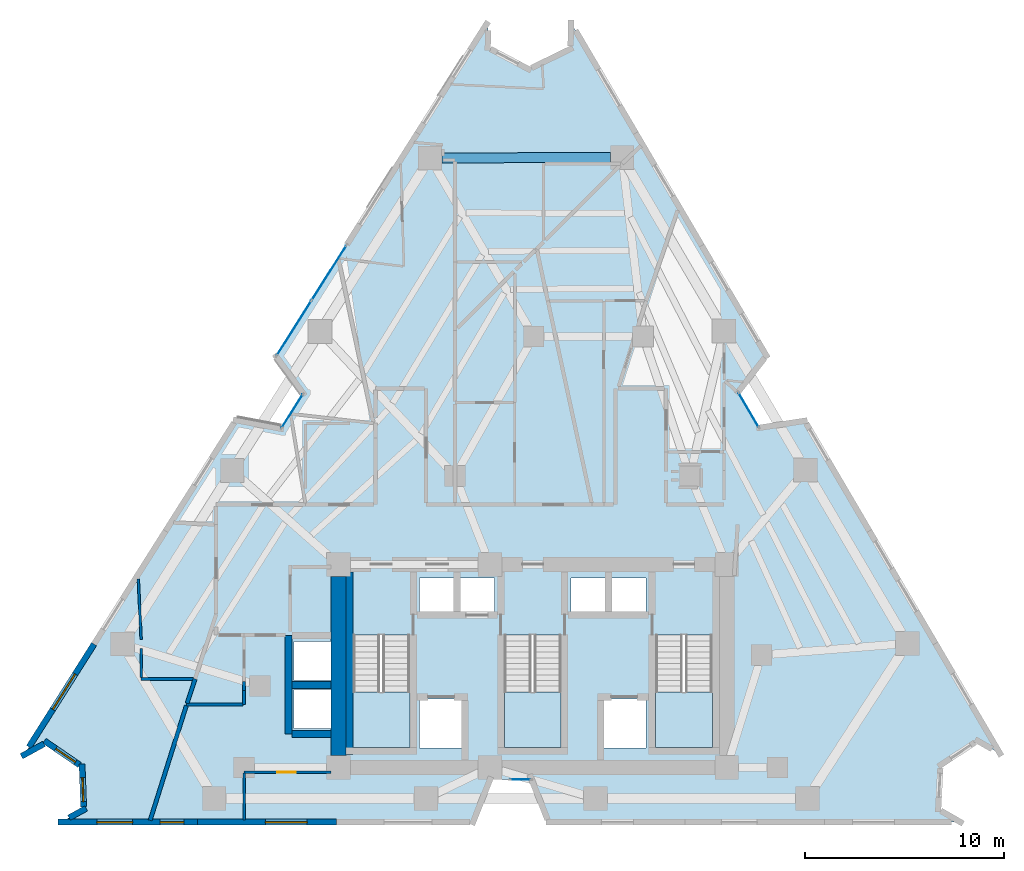
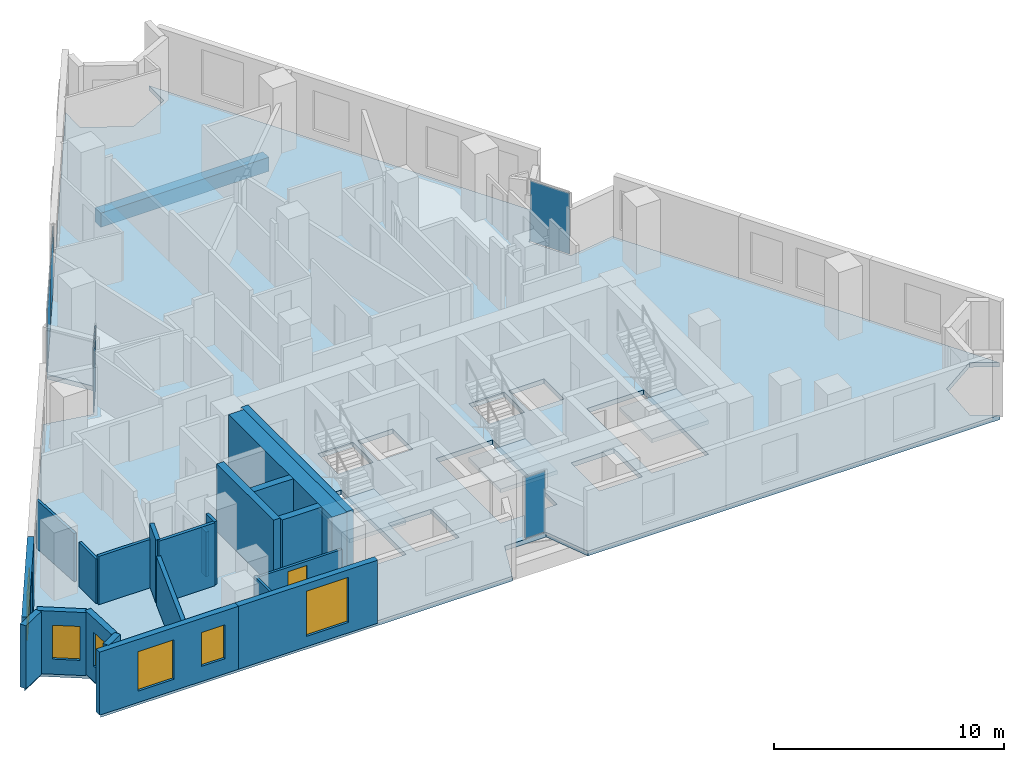
# One storey, part 5 of 12: 22 walls, 6 windows, 5 plates, 4 slabs, 1 beam, 1 door, 7 openings, 7 elements without a shape of their own.
"""IFC4 building model written with IfcOpenShell, lengths in metres."""

from ifc_helpers import new_model, si_unit, direction, frame, frame_2d, origin, origin_2d, place, context, subcontext, project, spatial, polyline, rectangle, outline, extrude, material, layer, layer_set, material_profile, profile_set, type_object, element, fill, aggregate, save


model = new_model("IFC4")

# Units and contexts
model_context = context("Model", 3, precision=1e-05, world=origin(), true_north=direction((0.0, 1.0)))
body_context = subcontext(model_context, "Body", "Model", "MODEL_VIEW")
ifc_project = project(units=[si_unit("LENGTHUNIT", "METRE"), si_unit("AREAUNIT", "SQUARE_METRE"), si_unit("VOLUMEUNIT", "CUBIC_METRE"), si_unit("PLANEANGLEUNIT", "RADIAN"), si_unit("MASSUNIT", "GRAM", prefix="KILO")], contexts=[model_context])

# Site, building, storey
site_placement = place(None, origin())
site = spatial("IfcSite", under=ifc_project, at=site_placement, CompositionType="ELEMENT")
building_placement = place(site_placement, origin())
building = spatial("IfcBuilding", under=site, at=building_placement, Name="Almagre Mirador Tower", CompositionType="ELEMENT")
storey_placement = place(building_placement, frame((0.0, 0.0, 114.0)))
storey = spatial("IfcBuildingStorey", under=building, at=storey_placement, Name="L28", CompositionType="ELEMENT", Elevation=114.0)

# Beam
ifc_material_1 = material(Name="Precast concrete C50/60", Category="concrete")
ifc_material_profile = material_profile(ifc_material_1, rectangle(XDim=0.5, YDim=0.75, at=origin_2d()), Name="RC500X750")
ifc_profile_set = profile_set([ifc_material_profile], Name="Precast concrete C50/60")
beam_type = type_object("IfcBeamType", Name="BM-SPN-RC500X750", PredefinedType="SPANDREL", material=ifc_profile_set)
beam_placement = place(storey_placement, frame((41.197021484375, 35.197998046875, -0.625), z_axis=(-0.999993795162, -0.003522731665, 0.0), x_axis=(0.003522731665, -0.999993795162, 0.0)))
element("IfcBeam", 1, at=beam_placement, inside=storey, type_object=beam_type, Name="L28 perimeter spandrel beam PC08-PC09", PredefinedType="SPANDREL", context=body_context, shape_type="SweptSolid", body=[
    extrude(rectangle(XDim=0.5, YDim=0.75, at=origin_2d()), origin(), (0.0, 0.0, 1.0), 8.455078125),
])

# Curtain wall, plate
ifc_material_2 = material(Name="Black anodized aluminium", Category="aluminium")
ifc_layer_1 = layer(ifc_material_2, 0.169921875)
ifc_layer_set_1 = layer_set([ifc_layer_1], Name="Black anodized aluminium")
curtain_wall_type_1 = type_object("IfcCurtainWallType", Name="CW-CRS-SYS", PredefinedType="NOTDEFINED", material=ifc_layer_set_1)
curtain_wall_1_placement = place(storey_placement, origin())
curtain_wall_1 = element("IfcCurtainWall", 2, at=curtain_wall_1_placement, inside=storey, type_object=curtain_wall_type_1, Name="L28 vertical crease curtain wall 01", PredefinedType="NOTDEFINED")
ifc_material_3 = material(Name="Dark solar-control laminated hurricane glass", Category="glass")
ifc_layer_2 = layer(ifc_material_3, 0.028076171875)
ifc_layer_set_2 = layer_set([ifc_layer_2], Name="Dark solar-control laminated hurricane glass")
plate_type_1 = type_object("IfcPlateType", Name="PLT-GLZ-28", PredefinedType="CURTAIN_PANEL", material=ifc_layer_set_2)
plate_1_placement = place(storey_placement, frame((25.217041015625, 22.449951171875, 0.06005859375), z_axis=(0.0, 0.0, 1.0), x_axis=(0.534892719084, 0.844919983827, 0.0)))
plate_1 = element("IfcPlate", 3, at=plate_1_placement, type_object=plate_type_1, Name="CW-4 panel 1.1", PredefinedType="CURTAIN_PANEL", context=body_context, shape_type="SweptSolid", body=[
    extrude(rectangle(XDim=1.97021484375, YDim=0.028076171875, at=origin_2d()), origin(), (0.0, 0.0, 1.0), 3.22998046875),
])
aggregate(curtain_wall_1, [plate_1])

curtain_wall_2_placement = place(storey_placement, origin())
curtain_wall_2 = element("IfcCurtainWall", 4, at=curtain_wall_2_placement, inside=storey, type_object=curtain_wall_type_1, Name="L28 vertical crease curtain wall 03", PredefinedType="NOTDEFINED")
plate_2_placement = place(storey_placement, frame((48.14599609375, 22.511474609375, 0.06005859375), z_axis=(0.0, 0.0, 1.0), x_axis=(0.506100018207, -0.862474794745, 0.0)))
plate_2 = element("IfcPlate", 5, at=plate_2_placement, type_object=plate_type_1, Name="CW-4 panel 1.1", PredefinedType="CURTAIN_PANEL", context=body_context, shape_type="SweptSolid", body=[
    extrude(rectangle(XDim=1.970458984375, YDim=0.028076171875, at=origin_2d()), origin(), (0.0, 0.0, 1.0), 3.22998046875),
])
aggregate(curtain_wall_2, [plate_2])

curtain_wall_3_placement = place(storey_placement, origin())
curtain_wall_3 = element("IfcCurtainWall", 6, at=curtain_wall_3_placement, inside=storey, type_object=curtain_wall_type_1, Name="L28 vertical crease curtain wall 04", PredefinedType="NOTDEFINED")
plate_3_placement = place(storey_placement, frame((36.677490234375, 3.949951171875, 0.06005859375), z_axis=(0.0, 0.0, 1.0), x_axis=(-1.0, 0.0, 0.0)))
plate_3 = element("IfcPlate", 7, at=plate_3_placement, type_object=plate_type_1, Name="CW-4 panel 1.1", PredefinedType="CURTAIN_PANEL", context=body_context, shape_type="SweptSolid", body=[
    extrude(rectangle(XDim=1.014892578125, YDim=0.028076171875, at=origin_2d()), origin(), (0.0, 0.0, 1.0), 3.22998046875),
])
aggregate(curtain_wall_3, [plate_3])

# Curtain wall, plates
ifc_material_4 = material(Name="Black anodized aluminium", Category="aluminium")
ifc_layer_3 = layer(ifc_material_4, 0.199951171875)
ifc_layer_set_3 = layer_set([ifc_layer_3], Name="Black anodized aluminium")
curtain_wall_type_2 = type_object("IfcCurtainWallType", Name="CW-RES-H-SYS", PredefinedType="NOTDEFINED", material=ifc_layer_set_3)
curtain_wall_4_placement = place(storey_placement, origin())
curtain_wall_4 = element("IfcCurtainWall", 8, at=curtain_wall_4_placement, inside=storey, type_object=curtain_wall_type_2, Name="L28 curtain wall run 02", PredefinedType="NOTDEFINED")
ifc_material_5 = material(Name="Dark solar-control laminated hurricane glass", Category="glass")
ifc_layer_4 = layer(ifc_material_5, 0.035888671875)
ifc_layer_set_4 = layer_set([ifc_layer_4], Name="Dark solar-control laminated hurricane glass")
plate_type_2 = type_object("IfcPlateType", Name="PLT-GLZ-36", PredefinedType="CURTAIN_PANEL", material=ifc_layer_set_4)
plate_4_placement = place(storey_placement, frame((25.311767578125, 26.619873046875, 0.06494140625), z_axis=(0.0, 0.0, 1.0), x_axis=(0.534887100678, 0.844923540641, 0.0)))
plate_4 = element("IfcPlate", 9, at=plate_4_placement, type_object=plate_type_2, Name="CW-3 panel 1.1", PredefinedType="CURTAIN_PANEL", context=body_context, shape_type="SweptSolid", body=[
    extrude(rectangle(XDim=3.219482421875, YDim=0.035888671875, at=origin_2d()), origin(), (0.0, 0.0, 1.0), 3.219970703125),
])
plate_5_placement = place(storey_placement, frame((27.068603515625, 29.39501953125, 0.06494140625), z_axis=(0.0, 0.0, 1.0), x_axis=(0.534887100678, 0.844923540641, 0.0)))
plate_5 = element("IfcPlate", 10, at=plate_5_placement, type_object=plate_type_2, Name="CW-3 panel 2.1", PredefinedType="CURTAIN_PANEL", context=body_context, shape_type="SweptSolid", body=[
    extrude(rectangle(XDim=3.219482421875, YDim=0.035888671875, at=origin_2d()), origin(), (0.0, 0.0, 1.0), 3.219970703125),
])
aggregate(curtain_wall_4, [plate_4, plate_5])

# Slab
ifc_material_6 = material(Name="Concrete C45/55", Category="concrete")
ifc_layer_5 = layer(ifc_material_6, 0.25)
ifc_layer_set_5 = layer_set([ifc_layer_5], Name="Concrete C45/55")
slab_type_1 = type_object("IfcSlabType", Name="SLB-FLR-250", PredefinedType="FLOOR", material=ifc_layer_set_5)
slab_1_placement = place(storey_placement, frame((0.0, 0.0, -0.25)))
element("IfcSlab", 11, at=slab_1_placement, inside=storey, type_object=slab_type_1, Name="L28 structural floor slab", PredefinedType="FLOOR", context=body_context, shape_type="SweptSolid", body=[
    extrude(outline(polyline([(11.739013671875, 5.179931640625), (12.883056640625, 5.80908203125), (14.6630859375, 4.5869140625), (14.742919921875, 2.428955078125), (13.60009765625, 1.800048828125), (34.300048828125, 1.800048828125), (35.155029296875, 3.949951171875), (37.2451171875, 3.949951171875), (38.10009765625, 1.800048828125), (58.800048828125, 1.800048828125), (57.6669921875, 2.447998046875), (57.783935546875, 4.672119140625), (59.64208984375, 5.89794921875), (60.77490234375, 5.2490234375), (50.9619140625, 21.9619140625), (48.675048828125, 21.610107421875), (47.616943359375, 23.4130859375), (49.0380859375, 25.238037109375), (39.22509765625, 41.950927734375), (39.2041015625, 40.64599609375), (37.10302734375, 39.62109375), (35.0390625, 40.715087890625), (35.06103515625, 42.02001953125), (24.416015625, 25.205078125), (25.77587890625, 23.3330078125), (24.657958984375, 21.56689453125), (22.384033203125, 21.9951171875), (11.739013671875, 5.179931640625)]), holes=[polyline([(43.47509765625, 5.550048828125), (43.47509765625, 11.196044921875), (46.324951171875, 11.196044921875), (46.324951171875, 5.550048828125), (43.47509765625, 5.550048828125)]), polyline([(40.820068359375, 5.52001953125), (40.820068359375, 7.97998046875), (42.97998046875, 7.97998046875), (42.97998046875, 5.52001953125), (40.820068359375, 5.52001953125)]), polyline([(41.219970703125, 12.320068359375), (41.219970703125, 14.080078125), (42.97998046875, 14.080078125), (42.97998046875, 12.320068359375), (41.219970703125, 12.320068359375)]), polyline([(39.219970703125, 12.320068359375), (39.219970703125, 14.080078125), (40.97998046875, 14.080078125), (40.97998046875, 12.320068359375), (39.219970703125, 12.320068359375)]), polyline([(35.875, 11.196044921875), (38.72509765625, 11.196044921875), (38.72509765625, 5.550048828125), (35.875, 5.550048828125), (35.875, 11.196044921875)]), polyline([(35.3798828125, 12.320068359375), (33.6201171875, 12.320068359375), (33.6201171875, 14.080078125), (35.3798828125, 14.080078125), (35.3798828125, 12.320068359375)]), polyline([(33.780029296875, 5.52001953125), (31.6201171875, 5.52001953125), (31.6201171875, 7.97998046875), (33.780029296875, 7.97998046875), (33.780029296875, 5.52001953125)]), polyline([(31.6201171875, 12.320068359375), (31.6201171875, 14.080078125), (33.3798828125, 14.080078125), (33.3798828125, 12.320068359375), (31.6201171875, 12.320068359375)]), polyline([(28.27490234375, 5.550048828125), (28.27490234375, 11.196044921875), (31.125, 11.196044921875), (31.125, 5.550048828125), (28.27490234375, 5.550048828125)]), polyline([(25.320068359375, 8.919921875), (25.320068359375, 10.8798828125), (27.3798828125, 10.8798828125), (27.3798828125, 8.919921875), (25.320068359375, 8.919921875)]), polyline([(27.3798828125, 6.52001953125), (25.320068359375, 6.52001953125), (25.320068359375, 8.47998046875), (27.3798828125, 8.47998046875), (27.3798828125, 6.52001953125)])]), origin(), (0.0, 0.0, 1.0), 0.25),
])

# Stair, slab
ifc_material_7 = material(Name="Concrete C45/55", Category="concrete")
stair_type = type_object("IfcStairType", Name="STR-DL-3600", PredefinedType="HALF_TURN_STAIR", material=ifc_material_7)
stair_1_placement = place(storey_placement, origin())
stair_1 = element("IfcStair", 12, at=stair_1_placement, inside=storey, type_object=stair_type, Name="L28 Protected exit stair ST-1", PredefinedType="HALF_TURN_STAIR")
ifc_material_8 = material(Name="Concrete C45/55", Category="concrete")
ifc_layer_6 = layer(ifc_material_8, 0.199951171875)
ifc_layer_set_6 = layer_set([ifc_layer_6], Name="Concrete C45/55")
slab_type_2 = type_object("IfcSlabType", Name="SLB-LND-200", PredefinedType="LANDING", material=ifc_layer_set_6)
slab_2_placement = place(storey_placement, frame((0.0, 0.0, 1.60009765625)))
slab_2 = element("IfcSlab", 13, at=slab_2_placement, type_object=slab_type_2, Name="ST-1 landing 1", PredefinedType="LANDING", context=body_context, shape_type="SweptSolid", body=[
    extrude(outline(polyline([(28.27490234375, 8.35009765625), (28.27490234375, 5.550048828125), (31.125, 5.550048828125), (31.125, 8.35009765625), (28.27490234375, 8.35009765625)])), origin(), (0.0, 0.0, 1.0), 0.199951171875),
])
aggregate(stair_1, [slab_2])

stair_2_placement = place(storey_placement, origin())
stair_2 = element("IfcStair", 14, at=stair_2_placement, inside=storey, type_object=stair_type, Name="L28 Protected exit stair ST-2", PredefinedType="HALF_TURN_STAIR")
slab_3_placement = place(storey_placement, frame((0.0, 0.0, 1.60009765625)))
slab_3 = element("IfcSlab", 15, at=slab_3_placement, type_object=slab_type_2, Name="ST-2 landing 1", PredefinedType="LANDING", context=body_context, shape_type="SweptSolid", body=[
    extrude(outline(polyline([(35.875, 8.35009765625), (35.875, 5.550048828125), (38.72509765625, 5.550048828125), (38.72509765625, 8.35009765625), (35.875, 8.35009765625)])), origin(), (0.0, 0.0, 1.0), 0.199951171875),
])
aggregate(stair_2, [slab_3])

stair_3_placement = place(storey_placement, origin())
stair_3 = element("IfcStair", 16, at=stair_3_placement, inside=storey, type_object=stair_type, Name="L28 Protected exit stair ST-3", PredefinedType="HALF_TURN_STAIR")
slab_4_placement = place(storey_placement, frame((0.0, 0.0, 1.60009765625)))
slab_4 = element("IfcSlab", 17, at=slab_4_placement, type_object=slab_type_2, Name="ST-3 landing 1", PredefinedType="LANDING", context=body_context, shape_type="SweptSolid", body=[
    extrude(outline(polyline([(43.47509765625, 8.35009765625), (43.47509765625, 5.550048828125), (46.324951171875, 5.550048828125), (46.324951171875, 8.35009765625), (43.47509765625, 8.35009765625)])), origin(), (0.0, 0.0, 1.0), 0.199951171875),
])
aggregate(stair_3, [slab_4])

# Wall, opening, window
ifc_material_9 = material(Name="Precast concrete C50/60", Category="concrete")
ifc_layer_7 = layer(ifc_material_9, 0.300048828125)
ifc_layer_set_7 = layer_set([ifc_layer_7], Name="Precast concrete C50/60")
wall_type_1 = type_object("IfcWallType", Name="WAL-EXT-300", PredefinedType="SOLIDWALL", material=ifc_layer_set_7)
wall_1_placement = place(storey_placement, frame((27.44677734375, 1.800048828125, 0.0), z_axis=(0.0, 0.0, 1.0), x_axis=(-1.0, 0.0, 0.0)))
wall_1 = element("IfcWall", 18, at=wall_1_placement, inside=storey, type_object=wall_type_1, Name="L28 expressed almagre precast frame wall 27", PredefinedType="SOLIDWALL", context=body_context, shape_type="SweptSolid", body=[
    extrude(rectangle(XDim=6.993408203125, YDim=0.300048828125, at=frame_2d((3.49658203125, 0.0))), origin(), (0.0, 0.0, 1.0), 3.35009765625),
])
opening_1_placement = place(wall_1_placement, frame((1.47509765625, 0.0, 0.550048828125)))
opening_1 = element("IfcOpeningElement", 19, at=opening_1_placement, cuts=wall_1, Name="Opening WN-05", PredefinedType="OPENING", context=body_context, shape_type="SweptSolid", body=[
    extrude(rectangle(XDim=2.10009765625, YDim=2.39990234375, at=frame_2d((1.050048828125, 1.199951171875))), frame((0.0, 0.159902, 0.0), z_axis=(0.0, -1.0, 0.0), x_axis=(1.0, 0.0, 0.0)), (0.0, 0.0, 1.0), 0.320049),
])
ifc_material_10 = material(Name="Dark solar-control laminated hurricane glass", Category="glass")
window_type_1 = type_object("IfcWindowType", Name="WIN-2100X2400", PartitioningType="DOUBLE_PANEL_VERTICAL", PredefinedType="WINDOW", material=ifc_material_10)
window_1_placement = place(opening_1_placement, origin())
window_1 = element("IfcWindow", 20, at=window_1_placement, inside=storey, type_object=window_type_1, Name="L28 recessed hurricane window L28-UA-KT", OverallHeight=2.39990234375, OverallWidth=2.10009765625, PartitioningType="SINGLE_PANEL", PredefinedType="WINDOW", context=body_context, shape_type="SweptSolid", body=[
    extrude(rectangle(XDim=2.10009765625, YDim=2.39990234375, at=frame_2d((1.050048828125, 1.199951171875))), frame((0.0, 0.030029296875, 0.0), z_axis=(0.0, -1.0, 0.0), x_axis=(1.0, 0.0, 0.0)), (0.0, 0.0, 1.0), 0.06005859375),
])
fill(opening_1, window_1)

# Wall, openings, windows
wall_2_placement = place(storey_placement, frame((20.453369140625, 1.800048828125, 0.0), z_axis=(0.0, 0.0, 1.0), x_axis=(-1.0, 0.0, 0.0)))
wall_2 = element("IfcWall", 21, at=wall_2_placement, inside=storey, type_object=wall_type_1, Name="L28 expressed almagre precast frame wall 28", PredefinedType="SOLIDWALL", context=body_context, shape_type="SweptSolid", body=[
    extrude(rectangle(XDim=6.993408203125, YDim=0.300048828125, at=frame_2d((3.49658203125, 0.0))), origin(), (0.0, 0.0, 1.0), 3.35009765625),
])
opening_2_placement = place(wall_2_placement, frame((0.675048828125, 0.0, 0.800048828125)))
opening_2 = element("IfcOpeningElement", 22, at=opening_2_placement, cuts=wall_2, Name="Opening WN-04", PredefinedType="OPENING", context=body_context, shape_type="SweptSolid", body=[
    extrude(rectangle(XDim=1.199951171875, YDim=1.800048828125, at=frame_2d((0.60009765625, 0.89990234375))), frame((0.0, 0.159902, 0.0), z_axis=(0.0, -1.0, 0.0), x_axis=(1.0, 0.0, 0.0)), (0.0, 0.0, 1.0), 0.320049),
])
opening_3_placement = place(wall_2_placement, frame((3.25, 0.0, 0.60009765625)))
opening_3 = element("IfcOpeningElement", 23, at=opening_3_placement, cuts=wall_2, Name="Opening WN-01", PredefinedType="OPENING", context=body_context, shape_type="SweptSolid", body=[
    extrude(rectangle(XDim=1.800048828125, YDim=2.10009765625, at=frame_2d((0.89990234375, 1.050048828125))), frame((0.0, 0.159902, 0.0), z_axis=(0.0, -1.0, 0.0), x_axis=(1.0, 0.0, 0.0)), (0.0, 0.0, 1.0), 0.320049),
])
ifc_material_11 = material(Name="Dark solar-control laminated hurricane glass", Category="glass")
window_type_2 = type_object("IfcWindowType", Name="WIN-1200X1800", PartitioningType="SINGLE_PANEL", PredefinedType="WINDOW", material=ifc_material_11)
window_2_placement = place(opening_2_placement, origin())
window_2 = element("IfcWindow", 24, at=window_2_placement, inside=storey, type_object=window_type_2, Name="L28 recessed hurricane window L28-UA-MB", OverallHeight=1.800048828125, OverallWidth=1.199951171875, PartitioningType="SINGLE_PANEL", PredefinedType="WINDOW", context=body_context, shape_type="SweptSolid", body=[
    extrude(rectangle(XDim=1.199951171875, YDim=1.800048828125, at=frame_2d((0.60009765625, 0.89990234375))), frame((0.0, 0.030029296875, 0.0), z_axis=(0.0, -1.0, 0.0), x_axis=(1.0, 0.0, 0.0)), (0.0, 0.0, 1.0), 0.06005859375),
])
fill(opening_2, window_2)
ifc_material_12 = material(Name="Dark solar-control laminated hurricane glass", Category="glass")
window_type_3 = type_object("IfcWindowType", Name="WIN-1800X2100", PartitioningType="DOUBLE_PANEL_VERTICAL", PredefinedType="WINDOW", material=ifc_material_12)
window_3_placement = place(opening_3_placement, origin())
window_3 = element("IfcWindow", 25, at=window_3_placement, inside=storey, type_object=window_type_3, Name="L28 recessed hurricane window L28-UD-KT", OverallHeight=2.10009765625, OverallWidth=1.800048828125, PartitioningType="SINGLE_PANEL", PredefinedType="WINDOW", context=body_context, shape_type="SweptSolid", body=[
    extrude(rectangle(XDim=1.800048828125, YDim=2.10009765625, at=frame_2d((0.89990234375, 1.050048828125))), frame((0.0, 0.030029296875, 0.0), z_axis=(0.0, -1.0, 0.0), x_axis=(1.0, 0.0, 0.0)), (0.0, 0.0, 1.0), 0.06005859375),
])
fill(opening_3, window_3)

# Wall
wall_3_placement = place(storey_placement, frame((14.00732421875, 2.024169921875, 0.0), z_axis=(0.0, 0.0, 1.0), x_axis=(0.876089618579, 0.482148296914, 0.0)))
element("IfcWall", 26, at=wall_3_placement, inside=storey, type_object=wall_type_1, Name="L28 expressed almagre precast frame wall 29", PredefinedType="SOLIDWALL", context=body_context, shape_type="SweptSolid", body=[
    extrude(rectangle(XDim=0.979736328125, YDim=0.300048828125, at=frame_2d((0.48974609375, 0.0))), origin(), (0.0, 0.0, 1.0), 3.35009765625),
])

# Wall, opening, window
wall_4_placement = place(storey_placement, frame((14.737548828125, 2.578857421875, 0.0), z_axis=(0.0, 0.0, 1.0), x_axis=(-0.037141892545, 0.99931000186, 0.0)))
wall_4 = element("IfcWall", 27, at=wall_4_placement, inside=storey, type_object=wall_type_1, Name="L28 expressed almagre precast frame wall 30", PredefinedType="SOLIDWALL", context=body_context, shape_type="SweptSolid", body=[
    extrude(rectangle(XDim=2.1494140625, YDim=0.300048828125, at=frame_2d((1.07470703125, 0.0))), origin(), (0.0, 0.0, 1.0), 3.35009765625),
])
opening_4_placement = place(wall_4_placement, frame((0.260009765625, 0.0, 0.800048828125)))
opening_4 = element("IfcOpeningElement", 28, at=opening_4_placement, cuts=wall_4, Name="Opening WN-04", PredefinedType="OPENING", context=body_context, shape_type="SweptSolid", body=[
    extrude(rectangle(XDim=1.199951171875, YDim=1.800048828125, at=frame_2d((0.60009765625, 0.89990234375))), frame((0.0, 0.159902, 0.0), z_axis=(0.0, -1.0, 0.0), x_axis=(1.0, 0.0, 0.0)), (0.0, 0.0, 1.0), 0.320049),
])
window_4_placement = place(opening_4_placement, origin())
window_4 = element("IfcWindow", 29, at=window_4_placement, inside=storey, type_object=window_type_2, Name="L28 recessed hurricane window L28-UD-KT", OverallHeight=1.800048828125, OverallWidth=1.199951171875, PartitioningType="SINGLE_PANEL", PredefinedType="WINDOW", context=body_context, shape_type="SweptSolid", body=[
    extrude(rectangle(XDim=1.199951171875, YDim=1.800048828125, at=frame_2d((0.60009765625, 0.89990234375))), frame((0.0, 0.030029296875, 0.0), z_axis=(0.0, -1.0, 0.0), x_axis=(1.0, 0.0, 0.0)), (0.0, 0.0, 1.0), 0.06005859375),
])
fill(opening_4, window_4)

wall_5_placement = place(storey_placement, frame((14.539306640625, 4.671875, 0.0), z_axis=(0.0, 0.0, 1.0), x_axis=(-0.824422928204, 0.565974235678, 0.0)))
wall_5 = element("IfcWall", 30, at=wall_5_placement, inside=storey, type_object=wall_type_1, Name="L28 expressed almagre precast frame wall 31", PredefinedType="SOLIDWALL", context=body_context, shape_type="SweptSolid", body=[
    extrude(rectangle(XDim=2.149169921875, YDim=0.300048828125, at=frame_2d((1.07470703125, 0.0))), origin(), (0.0, 0.0, 1.0), 3.35009765625),
])
opening_5_placement = place(wall_5_placement, frame((0.260009765625, 0.0, 0.800048828125)))
opening_5 = element("IfcOpeningElement", 31, at=opening_5_placement, cuts=wall_5, Name="Opening WN-04", PredefinedType="OPENING", context=body_context, shape_type="SweptSolid", body=[
    extrude(rectangle(XDim=1.199951171875, YDim=1.800048828125, at=frame_2d((0.60009765625, 0.89990234375))), frame((0.0, 0.159902, 0.0), z_axis=(0.0, -1.0, 0.0), x_axis=(1.0, 0.0, 0.0)), (0.0, 0.0, 1.0), 0.320049),
])
window_5_placement = place(opening_5_placement, origin())
window_5 = element("IfcWindow", 32, at=window_5_placement, inside=storey, type_object=window_type_2, Name="L28 recessed hurricane window L28-UD-KT", OverallHeight=1.800048828125, OverallWidth=1.199951171875, PartitioningType="SINGLE_PANEL", PredefinedType="WINDOW", context=body_context, shape_type="SweptSolid", body=[
    extrude(rectangle(XDim=1.199951171875, YDim=1.800048828125, at=frame_2d((0.60009765625, 0.89990234375))), frame((0.0, 0.030029296875, 0.0), z_axis=(0.0, -1.0, 0.0), x_axis=(1.0, 0.0, 0.0)), (0.0, 0.0, 1.0), 0.06005859375),
])
fill(opening_5, window_5)

# Wall
wall_6_placement = place(storey_placement, frame((12.751708984375, 5.73681640625, 0.0), z_axis=(0.0, 0.0, 1.0), x_axis=(-0.876299432815, -0.481766856527, 0.0)))
element("IfcWall", 33, at=wall_6_placement, inside=storey, type_object=wall_type_1, Name="L28 expressed almagre precast frame wall 32", PredefinedType="SOLIDWALL", context=body_context, shape_type="SweptSolid", body=[
    extrude(rectangle(XDim=1.2958984375, YDim=0.300048828125, at=frame_2d((0.64794921875, 0.0))), origin(), (0.0, 0.0, 1.0), 3.35009765625),
])

# Wall, opening, window
wall_7_placement = place(storey_placement, frame((11.9931640625, 5.581298828125, 0.0), z_axis=(0.0, 0.0, 1.0), x_axis=(0.534883870605, 0.844925585461, 0.0)))
wall_7 = element("IfcWall", 34, at=wall_7_placement, inside=storey, type_object=wall_type_1, Name="L28 expressed almagre precast frame wall 33", PredefinedType="SOLIDWALL", context=body_context, shape_type="SweptSolid", body=[
    extrude(rectangle(XDim=6.112060546875, YDim=0.300048828125, at=frame_2d((3.05615234375, 0.0))), origin(), (0.0, 0.0, 1.0), 3.35009765625),
])
opening_6_placement = place(wall_7_placement, frame((2.235107421875, 0.0, 0.550048828125)))
opening_6 = element("IfcOpeningElement", 35, at=opening_6_placement, cuts=wall_7, Name="Opening WN-05", PredefinedType="OPENING", context=body_context, shape_type="SweptSolid", body=[
    extrude(rectangle(XDim=2.10009765625, YDim=2.39990234375, at=frame_2d((1.050048828125, 1.199951171875))), frame((0.0, 0.159902, 0.0), z_axis=(0.0, -1.0, 0.0), x_axis=(1.0, 0.0, 0.0)), (0.0, 0.0, 1.0), 0.320049),
])
window_6_placement = place(opening_6_placement, origin())
window_6 = element("IfcWindow", 36, at=window_6_placement, inside=storey, type_object=window_type_1, Name="L28 recessed hurricane window L28-UD-KT", OverallHeight=2.39990234375, OverallWidth=2.10009765625, PartitioningType="SINGLE_PANEL", PredefinedType="WINDOW", context=body_context, shape_type="SweptSolid", body=[
    extrude(rectangle(XDim=2.10009765625, YDim=2.39990234375, at=frame_2d((1.050048828125, 1.199951171875))), frame((0.0, 0.030029296875, 0.0), z_axis=(0.0, -1.0, 0.0), x_axis=(1.0, 0.0, 0.0)), (0.0, 0.0, 1.0), 0.06005859375),
])
fill(opening_6, window_6)

# Wall, opening, door
ifc_material_13 = material(Name="Gypsum acoustic stud partition", Category="other")
ifc_layer_8 = layer(ifc_material_13, 0.125)
ifc_layer_set_8 = layer_set([ifc_layer_8], Name="Gypsum acoustic stud partition")
wall_type_2 = type_object("IfcWallType", Name="WAL-PRT-125-UTL", PredefinedType="PARTITIONING", material=ifc_layer_set_8)
wall_8_placement = place(storey_placement, frame((22.800048828125, 4.320068359375, 0.0), z_axis=(0.0, 0.0, 1.0), x_axis=(1.0, 0.0, 0.0)))
wall_8 = element("IfcWall", 37, at=wall_8_placement, inside=storey, type_object=wall_type_2, Name="L28 interior partition 027", PredefinedType="PARTITIONING", context=body_context, shape_type="SweptSolid", body=[
    extrude(rectangle(XDim=4.375, YDim=0.125, at=frame_2d((2.1875, 0.0))), origin(), (0.0, 0.0, 1.0), 2.43603515625),
])
opening_7_placement = place(wall_8_placement, frame((1.654296875, 0.0, 0.0)))
opening_7 = element("IfcOpeningElement", 38, at=opening_7_placement, cuts=wall_8, Name="Opening UD-01", PredefinedType="OPENING", context=body_context, shape_type="SweptSolid", body=[
    extrude(rectangle(XDim=0.949951171875, YDim=2.199951171875, at=frame_2d((0.47509765625, 1.10009765625))), frame((0.0, 0.0725, 0.0), z_axis=(0.0, -1.0, 0.0), x_axis=(1.0, 0.0, 0.0)), (0.0, 0.0, 1.0), 0.145),
])
ifc_material_14 = material(Name="Solid American walnut timber", Category="wood")
door_type = type_object("IfcDoorType", Name="DOR-UNR-950X2200", OperationType="NOTDEFINED", PredefinedType="DOOR", material=ifc_material_14)
door_placement = place(opening_7_placement, origin())
door = element("IfcDoor", 39, at=door_placement, inside=storey, type_object=door_type, Name="DR-0919 L28 interior door L28-UA-LV to L28-UA-KT", OperationType="SINGLE_SWING_RIGHT", OverallHeight=2.199951171875, OverallWidth=0.949951171875, PredefinedType="DOOR", context=body_context, shape_type="SweptSolid", body=[
    extrude(rectangle(XDim=0.949951171875, YDim=2.199951171875, at=frame_2d((0.47509765625, 1.10009765625))), frame((0.0, 0.02490234375, 0.0), z_axis=(0.0, -1.0, 0.0), x_axis=(1.0, 0.0, 0.0)), (0.0, 0.0, 1.0), 0.050048828125),
])
fill(opening_7, door)

# Walls
wall_9_placement = place(storey_placement, frame((22.800048828125, 4.2724609375, 0.0), z_axis=(0.0, 0.0, 1.0), x_axis=(0.0, -1.0, 0.0)))
element("IfcWall", 40, at=wall_9_placement, inside=storey, type_object=wall_type_2, Name="L28 interior partition 032", PredefinedType="PARTITIONING", context=body_context, shape_type="SweptSolid", body=[
    extrude(rectangle(XDim=2.37255859375, YDim=0.125, at=frame_2d((1.186279296875, 0.0))), origin(), (0.0, 0.0, 1.0), 2.570068359375),
])
wall_10_placement = place(storey_placement, frame((17.6298828125, 10.530029296875, 0.0), z_axis=(0.0, 0.0, 1.0), x_axis=(0.0, -1.0, 0.0)))
element("IfcWall", 41, at=wall_10_placement, inside=storey, type_object=wall_type_2, Name="L28 interior partition 048", PredefinedType="PARTITIONING", context=body_context, shape_type="SweptSolid", body=[
    extrude(rectangle(XDim=1.469970703125, YDim=0.125, at=frame_2d((0.73486328125, 0.0))), origin(), (0.0, 0.0, 1.0), 2.3720703125),
])
wall_11_placement = place(storey_placement, frame((17.487060546875, 14.012939453125, 0.0), z_axis=(0.0, 0.0, 1.0), x_axis=(0.046883561563, -0.998900361225, 0.0)))
element("IfcWall", 42, at=wall_11_placement, inside=storey, type_object=wall_type_2, Name="L28 interior partition 049", PredefinedType="PARTITIONING", context=body_context, shape_type="SweptSolid", body=[
    extrude(rectangle(XDim=3.04638671875, YDim=0.125, at=frame_2d((1.523193359375, 0.0))), origin(), (0.0, 0.0, 1.0), 2.570068359375),
])
ifc_material_15 = material(Name="Gypsum acoustic stud partition", Category="other")
ifc_layer_9 = layer(ifc_material_15, 0.14990234375)
ifc_layer_set_9 = layer_set([ifc_layer_9], Name="Gypsum acoustic stud partition")
wall_type_3 = type_object("IfcWallType", Name="WAL-PRT-150-STD", PredefinedType="PARTITIONING", material=ifc_layer_set_9)
wall_12_placement = place(storey_placement, frame((22.800048828125, 8.429931640625, 0.0), z_axis=(0.0, 0.0, 1.0), x_axis=(0.0, -1.0, 0.0)))
element("IfcWall", 43, at=wall_12_placement, inside=storey, type_object=wall_type_3, Name="L28 interior partition 025", PredefinedType="PARTITIONING", context=body_context, shape_type="SweptSolid", body=[
    extrude(rectangle(XDim=0.7099609375, YDim=0.14990234375, at=frame_2d((0.35498046875, 0.0))), origin(), (0.0, 0.0, 1.0), 3.35009765625),
])
wall_13_placement = place(storey_placement, frame((19.919921875, 7.719970703125, 0.0), z_axis=(0.0, 0.0, 1.0), x_axis=(1.0, 0.0, 0.0)))
element("IfcWall", 44, at=wall_13_placement, inside=storey, type_object=wall_type_3, Name="L28 interior partition 029", PredefinedType="PARTITIONING", context=body_context, shape_type="SweptSolid", body=[
    extrude(rectangle(XDim=2.820068359375, YDim=0.14990234375, at=frame_2d((1.41015625, 0.0))), origin(), (0.0, 0.0, 1.0), 3.35009765625),
])
wall_14_placement = place(storey_placement, frame((17.6298828125, 9.0, 0.0), z_axis=(0.0, 0.0, 1.0), x_axis=(1.0, 0.0, 0.0)))
element("IfcWall", 45, at=wall_14_placement, inside=storey, type_object=wall_type_3, Name="L28 interior partition 047", PredefinedType="PARTITIONING", context=body_context, shape_type="SweptSolid", body=[
    extrude(rectangle(XDim=2.625, YDim=0.14990234375, at=frame_2d((1.3125, 0.0))), origin(), (0.0, 0.0, 1.0), 2.570068359375),
])
wall_15_placement = place(storey_placement, frame((22.800048828125, 8.429931640625, 0.0), z_axis=(0.0, 0.0, 1.0), x_axis=(0.0, 1.0, 0.0)))
element("IfcWall", 46, at=wall_15_placement, inside=storey, type_object=wall_type_3, Name="L28 interior partition 098", PredefinedType="PARTITIONING", context=body_context, shape_type="SweptSolid", body=[
    extrude(rectangle(XDim=0.440185546875, YDim=0.14990234375, at=frame_2d((0.22021484375, 0.0))), origin(), (0.0, 0.0, 1.0), 2.3720703125),
])
ifc_material_16 = material(Name="Gypsum acoustic stud partition", Category="other")
ifc_layer_10 = layer(ifc_material_16, 0.199951171875)
ifc_layer_set_10 = layer_set([ifc_layer_10], Name="Gypsum acoustic stud partition")
wall_type_4 = type_object("IfcWallType", Name="WAL-PRT-200-EI60", PredefinedType="PARTITIONING", material=ifc_layer_set_10)
wall_16_placement = place(storey_placement, frame((20.340087890625, 9.0, 0.0), z_axis=(0.0, 0.0, 1.0), x_axis=(-0.311842662142, -0.950133755883, 0.0)))
element("IfcWall", 47, at=wall_16_placement, inside=storey, type_object=wall_type_4, Name="L28 interior partition 031", PredefinedType="PARTITIONING", context=body_context, shape_type="SweptSolid", body=[
    extrude(rectangle(XDim=1.287109375, YDim=0.199951171875, at=frame_2d((0.6435546875, 0.0))), origin(), (0.0, 0.0, 1.0), 3.35009765625),
])
wall_17_placement = place(storey_placement, frame((19.90185546875, 7.662841796875, 0.0), z_axis=(0.0, 0.0, 1.0), x_axis=(-0.300992296292, -0.953626571344, 0.0)))
element("IfcWall", 48, at=wall_17_placement, inside=storey, type_object=wall_type_4, Name="L28 interior partition 034", PredefinedType="PARTITIONING", context=body_context, shape_type="SweptSolid", body=[
    extrude(rectangle(XDim=6.04931640625, YDim=0.199951171875, at=frame_2d((3.024658203125, 0.0))), origin(), (0.0, 0.0, 1.0), 2.570068359375),
])
ifc_material_17 = material(Name="Concrete C60/75", Category="concrete")
ifc_layer_11 = layer(ifc_material_17, 0.35009765625)
ifc_layer_set_11 = layer_set([ifc_layer_11], Name="Concrete C60/75")
wall_type_5 = type_object("IfcWallType", Name="WAL-SHF-350", PredefinedType="SOLIDWALL", material=ifc_layer_set_11)
wall_18_placement = place(storey_placement, frame((28.10009765625, 5.199951171875, 0.0), z_axis=(0.0, 0.0, 1.0), x_axis=(0.0, 1.0, 0.0)))
element("IfcWall", 49, at=wall_18_placement, inside=storey, type_object=wall_type_5, Name="L28 shaft wall ST1-W", PredefinedType="SOLIDWALL", context=body_context, shape_type="SweptSolid", body=[
    extrude(rectangle(XDim=9.175048828125, YDim=0.35009765625, at=frame_2d((4.58740234375, 0.0))), origin(), (0.0, 0.0, 1.0), 3.60009765625),
])
wall_19_placement = place(storey_placement, frame((25.02490234375, 6.22509765625, 0.0), z_axis=(0.0, 0.0, 1.0), x_axis=(0.0, 1.0, 0.0)))
element("IfcWall", 50, at=wall_19_placement, inside=storey, type_object=wall_type_5, Name="L28 shaft wall OL-W", PredefinedType="SOLIDWALL", context=body_context, shape_type="SweptSolid", body=[
    extrude(rectangle(XDim=4.949951171875, YDim=0.35009765625, at=frame_2d((2.47509765625, 0.0))), origin(), (0.0, 0.0, 1.0), 3.60009765625),
])
for number, where, z_axis, x_axis, name in (
    (51, (25.199951171875, 6.22509765625, 0.0), (0.0, 0.0, 1.0), (1.0, 0.0, 0.0), "L28 shaft wall OL-S"),
    (52, (25.199951171875, 8.699951171875, 0.0), (0.0, 0.0, 1.0), (1.0, 0.0, 0.0), "L28 shaft wall OL-M"),
):
    element("IfcWall", number, at=place(storey_placement, frame(where, z_axis=z_axis, x_axis=x_axis)), inside=storey, type_object=wall_type_5, Name=name, PredefinedType="SOLIDWALL", context=body_context, shape_type="SweptSolid", body=[
        extrude(rectangle(XDim=1.97509765625, YDim=0.35009765625, at=frame_2d((0.987548828125, 0.0))), origin(), (0.0, 0.0, 1.0), 3.60009765625),
    ])
ifc_material_18 = material(Name="Concrete C60/75", Category="concrete")
ifc_layer_12 = layer(ifc_material_18, 0.75)
ifc_layer_set_12 = layer_set([ifc_layer_12], Name="Concrete C60/75")
wall_type_6 = type_object("IfcWallType", Name="WAL-SHR-750", PredefinedType="SHEAR", material=ifc_layer_set_12)
wall_20_placement = place(storey_placement, frame((27.550048828125, 5.14990234375, 0.0), z_axis=(0.0, 0.0, 1.0), x_axis=(0.0, 1.0, 0.0)))
element("IfcWall", 53, at=wall_20_placement, inside=storey, type_object=wall_type_6, Name="L28 core shear wall W1", PredefinedType="SHEAR", context=body_context, shape_type="SweptSolid", body=[
    extrude(rectangle(XDim=9.0, YDim=0.75, at=frame_2d((4.5, 0.0))), origin(), (0.0, 0.0, 1.0), 3.60009765625),
])

save(model, "model.ifc")
